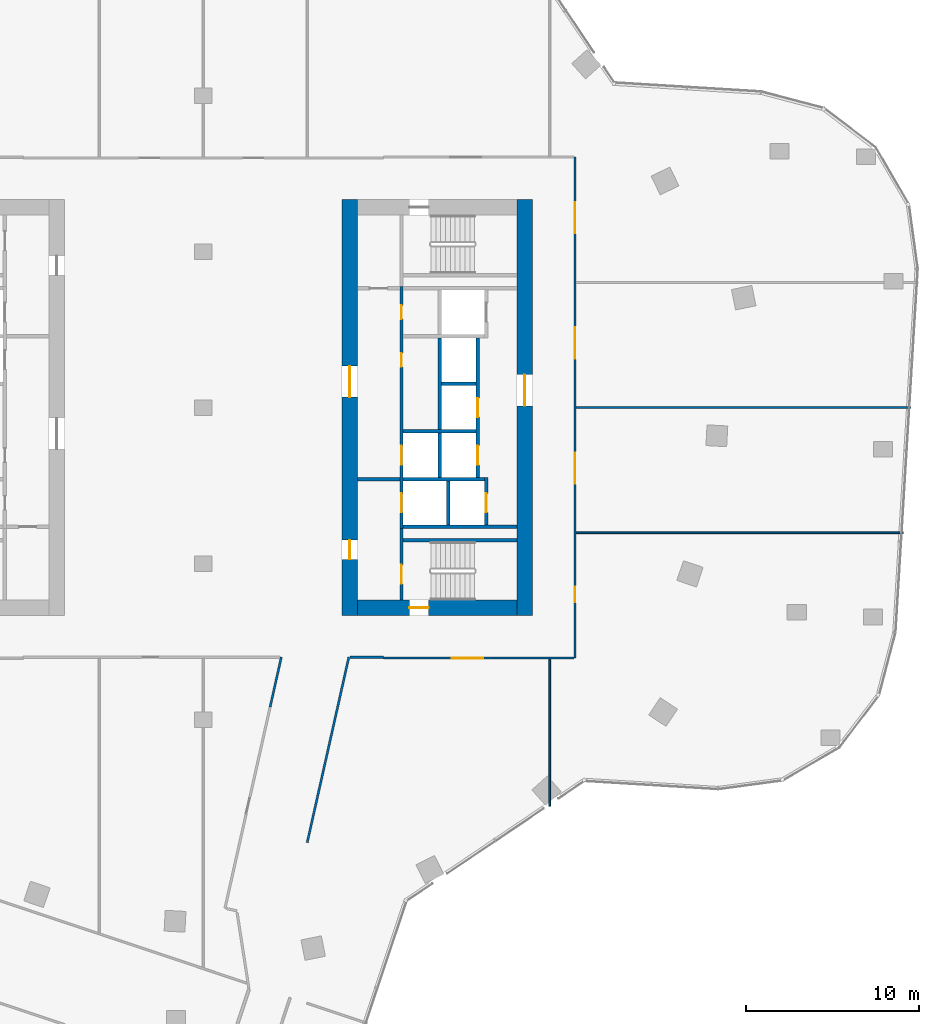
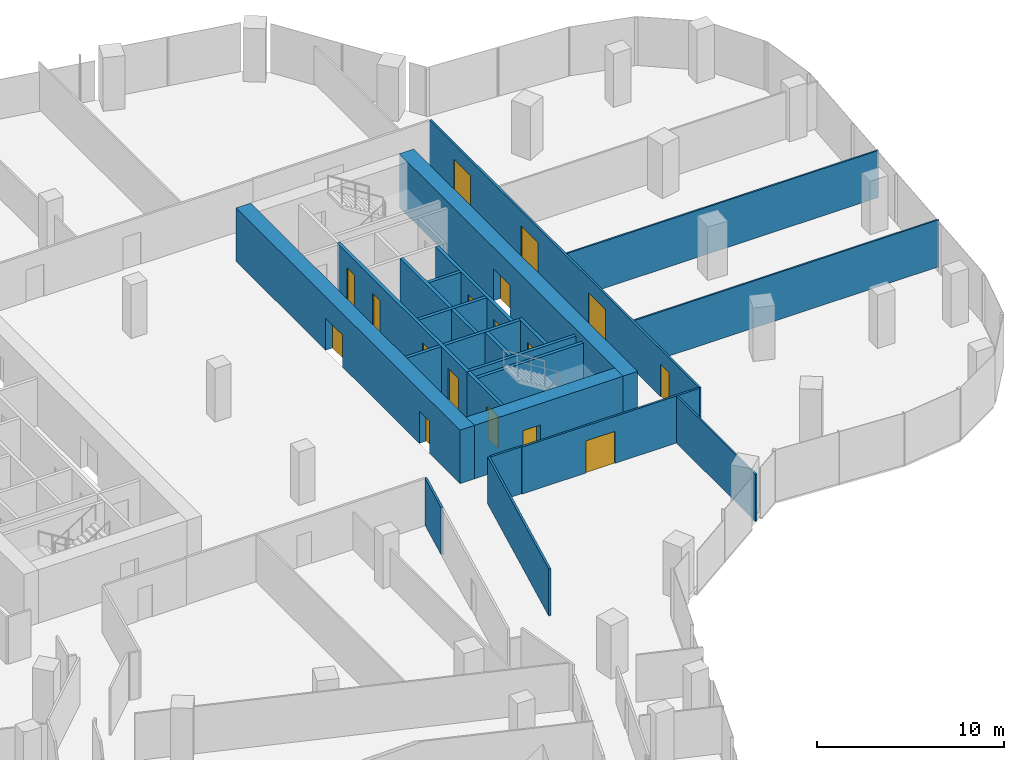
# One storey, part 21 of 25: 24 walls, 17 doors, 17 openings.
"""IFC4 building model written with IfcOpenShell, lengths in metres."""

from ifc_helpers import new_model, si_unit, direction, frame, frame_2d, origin, place, context, subcontext, project, spatial, rectangle, extrude, material, layer, layer_set, type_object, element, fill, save


model = new_model("IFC4")

# Units and contexts
model_context = context("Model", 3, precision=1e-05, world=origin(), true_north=direction((0.0, 1.0)))
body_context = subcontext(model_context, "Body", "Model", "MODEL_VIEW")
ifc_project = project(units=[si_unit("LENGTHUNIT", "METRE"), si_unit("AREAUNIT", "SQUARE_METRE"), si_unit("VOLUMEUNIT", "CUBIC_METRE"), si_unit("PLANEANGLEUNIT", "RADIAN"), si_unit("MASSUNIT", "GRAM", prefix="KILO")], contexts=[model_context])

# Site, building, storey
site_placement = place(None, origin())
site = spatial("IfcSite", under=ifc_project, at=site_placement, CompositionType="ELEMENT")
building_placement = place(site_placement, origin())
building = spatial("IfcBuilding", under=site, at=building_placement, Name="Orlundy Tower", CompositionType="ELEMENT")
storey_placement = place(building_placement, frame((0.0, 0.0, 159.60009765625)))
storey = spatial("IfcBuildingStorey", under=building, at=storey_placement, Name="L41", CompositionType="ELEMENT", Elevation=159.60009765625)

# Wall, opening, door
ifc_material_1 = material(Name="Concrete C70/85", Category="concrete")
ifc_layer_1 = layer(ifc_material_1, 0.89990234375)
ifc_layer_set_1 = layer_set([ifc_layer_1], Name="CORE WALL 900 C70/85")
wall_type_1 = type_object("IfcWallType", Name="CORE WALL 900 C70/85", PredefinedType="SHEAR", material=ifc_layer_set_1)
wall_1_placement = place(storey_placement, frame((8.89990234375, -11.550048828125, 0.0), z_axis=(0.0, 0.0, 1.0), x_axis=(1.0, 0.0, 0.0)))
wall_1 = element("IfcWall", 1, at=wall_1_placement, inside=storey, type_object=wall_type_1, Name="Core wall E-S L41", PredefinedType="SHEAR", context=body_context, shape_type="SweptSolid", body=[
    extrude(rectangle(XDim=9.2001953125, YDim=0.89990234375, at=frame_2d((4.60009765625, 0.0))), origin(), (0.0, 0.0, 1.0), 3.5),
])
opening_1_placement = place(wall_1_placement, frame((3.0, 0.0, 0.0)))
opening_1 = element("IfcOpeningElement", 2, at=opening_1_placement, cuts=wall_1, Name="Opening 32061", PredefinedType="OPENING", context=body_context, shape_type="SweptSolid", body=[
    extrude(rectangle(XDim=1.10009765625, YDim=2.10009765625, at=frame_2d((0.550048828125, 1.050048828125))), frame((0.0, 0.4599609375, 0.0), z_axis=(0.0, -1.0, 0.0), x_axis=(1.0, 0.0, 0.0)), (0.0, 0.0, 1.0), 0.919921875),
])
ifc_material_2 = material(Name="Steel door set", Category="steel")
door_type_1 = type_object("IfcDoorType", Name="Stair Door 1100x2100", OperationType="SINGLE_SWING_LEFT", PredefinedType="DOOR", material=ifc_material_2)
door_1_placement = place(opening_1_placement, origin())
door_1 = element("IfcDoor", 3, at=door_1_placement, inside=storey, type_object=door_type_1, Name="Stair door 32061", OperationType="SINGLE_SWING_LEFT", OverallHeight=2.10009765625, OverallWidth=1.10009765625, PredefinedType="DOOR", context=body_context, shape_type="SweptSolid", body=[
    extrude(rectangle(XDim=1.10009765625, YDim=2.10009765625, at=frame_2d((0.550048828125, 1.050048828125))), frame((0.0, 0.02490234375, 0.0), z_axis=(0.0, -1.0, 0.0), x_axis=(1.0, 0.0, 0.0)), (0.0, 0.0, 1.0), 0.050048828125),
])
fill(opening_1, door_1)

# Wall, openings, doors
wall_2_placement = place(storey_placement, frame((8.449951171875, -12.0, 0.0), z_axis=(0.0, 0.0, 1.0), x_axis=(0.0, 1.0, 0.0)))
wall_2 = element("IfcWall", 4, at=wall_2_placement, inside=storey, type_object=wall_type_1, Name="Core wall E-W L41", PredefinedType="SHEAR", context=body_context, shape_type="SweptSolid", body=[
    extrude(rectangle(XDim=24.0, YDim=0.89990234375, at=frame_2d((12.0, 0.0))), origin(), (0.0, 0.0, 1.0), 3.5),
])
opening_2_placement = place(wall_2_placement, frame((12.60009765625, 0.0, 0.0)))
opening_2 = element("IfcOpeningElement", 5, at=opening_2_placement, cuts=wall_2, Name="Opening 32058", PredefinedType="OPENING", context=body_context, shape_type="SweptSolid", body=[
    extrude(rectangle(XDim=1.800048828125, YDim=2.10009765625, at=frame_2d((0.89990234375, 1.050048828125))), frame((0.0, 0.4599609375, 0.0), z_axis=(0.0, -1.0, 0.0), x_axis=(1.0, 0.0, 0.0)), (0.0, 0.0, 1.0), 0.919921875),
])
opening_3_placement = place(wall_2_placement, frame((3.25, 0.0, 0.0)))
opening_3 = element("IfcOpeningElement", 6, at=opening_3_placement, cuts=wall_2, Name="Opening 32060", PredefinedType="OPENING", context=body_context, shape_type="SweptSolid", body=[
    extrude(rectangle(XDim=1.10009765625, YDim=2.10009765625, at=frame_2d((0.550048828125, 1.050048828125))), frame((0.0, 0.4599609375, 0.0), z_axis=(0.0, -1.0, 0.0), x_axis=(1.0, 0.0, 0.0)), (0.0, 0.0, 1.0), 0.919921875),
])
ifc_material_3 = material(Name="Steel door set", Category="steel")
door_type_2 = type_object("IfcDoorType", Name="Fire-fighting Lobby Door 1100x2100", OperationType="SINGLE_SWING_LEFT", PredefinedType="DOOR", material=ifc_material_3)
door_2_placement = place(opening_3_placement, origin())
door_2 = element("IfcDoor", 7, at=door_2_placement, inside=storey, type_object=door_type_2, Name="Fire-fighting lobby door 32060", OperationType="SINGLE_SWING_LEFT", OverallHeight=2.10009765625, OverallWidth=1.10009765625, PredefinedType="DOOR", context=body_context, shape_type="SweptSolid", body=[
    extrude(rectangle(XDim=1.10009765625, YDim=2.10009765625, at=frame_2d((0.550048828125, 1.050048828125))), frame((0.0, 0.02490234375, 0.0), z_axis=(0.0, -1.0, 0.0), x_axis=(1.0, 0.0, 0.0)), (0.0, 0.0, 1.0), 0.050048828125),
])
fill(opening_3, door_2)
ifc_material_4 = material(Name="Timber door set", Category="wood")
door_type_3 = type_object("IfcDoorType", Name="Lobby Door 1800x2100", OperationType="DOUBLE_DOOR_DOUBLE_SWING", PredefinedType="DOOR", material=ifc_material_4)
door_3_placement = place(opening_2_placement, origin())
door_3 = element("IfcDoor", 8, at=door_3_placement, inside=storey, type_object=door_type_3, Name="Lift lobby door 32058", OperationType="SINGLE_SWING_RIGHT", OverallHeight=2.10009765625, OverallWidth=1.800048828125, PredefinedType="DOOR", context=body_context, shape_type="SweptSolid", body=[
    extrude(rectangle(XDim=1.800048828125, YDim=2.10009765625, at=frame_2d((0.89990234375, 1.050048828125))), frame((0.0, 0.02490234375, 0.0), z_axis=(0.0, -1.0, 0.0), x_axis=(1.0, 0.0, 0.0)), (0.0, 0.0, 1.0), 0.050048828125),
])
fill(opening_2, door_3)

# Wall, opening, door
wall_3_placement = place(storey_placement, frame((18.550048828125, -12.0, 0.0), z_axis=(0.0, 0.0, 1.0), x_axis=(0.0, 1.0, 0.0)))
wall_3 = element("IfcWall", 9, at=wall_3_placement, inside=storey, type_object=wall_type_1, Name="Core wall E-E L41", PredefinedType="SHEAR", context=body_context, shape_type="SweptSolid", body=[
    extrude(rectangle(XDim=24.0, YDim=0.89990234375, at=frame_2d((12.0, 0.0))), origin(), (0.0, 0.0, 1.0), 3.5),
])
opening_4_placement = place(wall_3_placement, frame((12.10009765625, 0.0, 0.0)))
opening_4 = element("IfcOpeningElement", 10, at=opening_4_placement, cuts=wall_3, Name="Opening 32059", PredefinedType="OPENING", context=body_context, shape_type="SweptSolid", body=[
    extrude(rectangle(XDim=1.800048828125, YDim=2.10009765625, at=frame_2d((0.89990234375, 1.050048828125))), frame((0.0, 0.4599609375, 0.0), z_axis=(0.0, -1.0, 0.0), x_axis=(1.0, 0.0, 0.0)), (0.0, 0.0, 1.0), 0.919921875),
])
door_4_placement = place(opening_4_placement, origin())
door_4 = element("IfcDoor", 11, at=door_4_placement, inside=storey, type_object=door_type_3, Name="Lift lobby door 32059", OperationType="SINGLE_SWING_RIGHT", OverallHeight=2.10009765625, OverallWidth=1.800048828125, PredefinedType="DOOR", context=body_context, shape_type="SweptSolid", body=[
    extrude(rectangle(XDim=1.800048828125, YDim=2.10009765625, at=frame_2d((0.89990234375, 1.050048828125))), frame((0.0, 0.02490234375, 0.0), z_axis=(0.0, -1.0, 0.0), x_axis=(1.0, 0.0, 0.0)), (0.0, 0.0, 1.0), 0.050048828125),
])
fill(opening_4, door_4)

# Walls
ifc_material_5 = material(Name="Gypsum board partition")
ifc_layer_2 = layer(ifc_material_5, 0.10009765625)
ifc_layer_set_2 = layer_set([ifc_layer_2], Name="Floor partition 100")
wall_type_2 = type_object("IfcWallType", Name="Floor partition 100", PredefinedType="PARTITIONING", material=ifc_layer_set_2)
wall_4_placement = place(storey_placement, frame((21.511962890625, -7.22412109375, 0.0), z_axis=(0.0, 0.0, 1.0), x_axis=(1.0, 0.0, 0.0)))
element("IfcWall", 12, at=wall_4_placement, inside=storey, type_object=wall_type_2, Name="wall-int-L41-027", PredefinedType="PARTITIONING", context=body_context, shape_type="SweptSolid", body=[
    extrude(rectangle(XDim=18.8720703125, YDim=0.10009765625, at=frame_2d((9.43603515625, 0.0))), origin(), (0.0, 0.0, 1.0), 3.079833984375),
])
wall_5_placement = place(storey_placement, frame((21.511962890625, 0.0, 0.0), z_axis=(0.0, 0.0, 1.0), x_axis=(1.0, 0.0, 0.0)))
element("IfcWall", 13, at=wall_5_placement, inside=storey, type_object=wall_type_2, Name="wall-int-L41-029", PredefinedType="PARTITIONING", context=body_context, shape_type="SweptSolid", body=[
    extrude(rectangle(XDim=19.31396484375, YDim=0.10009765625, at=frame_2d((9.656982421875, 0.0))), origin(), (0.0, 0.0, 1.0), 3.079833984375),
])
wall_6_placement = place(storey_placement, frame((20.0, -22.998046875, 0.0), z_axis=(0.0, 0.0, 1.0), x_axis=(0.0, 1.0, 0.0)))
element("IfcWall", 14, at=wall_6_placement, inside=storey, type_object=wall_type_2, Name="wall-int-L41-056", PredefinedType="PARTITIONING", context=body_context, shape_type="SweptSolid", body=[
    extrude(rectangle(XDim=8.484130859375, YDim=0.10009765625, at=frame_2d((4.2421875, 0.0))), origin(), (0.0, 0.0, 1.0), 3.079833984375),
])

# Wall, opening, door
ifc_material_6 = material(Name="Gypsum board partition, double layer")
ifc_layer_3 = layer(ifc_material_6, 0.125)
ifc_layer_set_3 = layer_set([ifc_layer_3], Name="Floor partition 125")
wall_type_3 = type_object("IfcWallType", Name="Floor partition 125", PredefinedType="PARTITIONING", material=ifc_layer_set_3)
wall_7_placement = place(storey_placement, frame((21.386962890625, -14.450927734375, 0.0), z_axis=(0.0, 0.0, 1.0), x_axis=(-1.0, 0.0, 0.0)))
wall_7 = element("IfcWall", 15, at=wall_7_placement, inside=storey, type_object=wall_type_3, Name="wall-int-L41-024", PredefinedType="PARTITIONING", context=body_context, shape_type="SweptSolid", body=[
    extrude(rectangle(XDim=10.995849609375, YDim=0.125, at=frame_2d((5.498046875, 0.0))), origin(), (0.0, 0.0, 1.0), 3.079833984375),
])
opening_5_placement = place(wall_7_placement, frame((5.237548828125, 0.0, 0.0)))
opening_5 = element("IfcOpeningElement", 16, at=opening_5_placement, cuts=wall_7, Name="Opening 32118", PredefinedType="OPENING", context=body_context, shape_type="SweptSolid", body=[
    extrude(rectangle(XDim=1.800048828125, YDim=2.10009765625, at=frame_2d((0.89990234375, 1.050048828125))), frame((0.0, 0.072509765625, 0.0), z_axis=(0.0, -1.0, 0.0), x_axis=(1.0, 0.0, 0.0)), (0.0, 0.0, 1.0), 0.14501953125),
])
ifc_material_7 = material(Name="Timber door leaf", Category="wood")
door_type_4 = type_object("IfcDoorType", Name="Floor door double 1800 FD30S", OperationType="NOTDEFINED", PredefinedType="DOOR", material=ifc_material_7)
door_5_placement = place(opening_5_placement, origin())
door_5 = element("IfcDoor", 17, at=door_5_placement, inside=storey, type_object=door_type_4, Name="Door 32118", OperationType="DOUBLE_DOOR_SINGLE_SWING", OverallHeight=2.10009765625, OverallWidth=1.800048828125, PredefinedType="DOOR", context=body_context, shape_type="SweptSolid", body=[
    extrude(rectangle(XDim=1.800048828125, YDim=2.10009765625, at=frame_2d((0.89990234375, 1.050048828125))), frame((0.0, 0.02490234375, 0.0), z_axis=(0.0, -1.0, 0.0), x_axis=(1.0, 0.0, 0.0)), (0.0, 0.0, 1.0), 0.050048828125),
])
fill(opening_5, door_5)

# Walls
wall_8_placement = place(storey_placement, frame((8.47900390625, -14.40087890625, 0.0), z_axis=(0.0, 0.0, 1.0), x_axis=(1.0, 0.0, 0.0)))
element("IfcWall", 18, at=wall_8_placement, inside=storey, type_object=wall_type_3, Name="wall-int-L41-026", PredefinedType="PARTITIONING", context=body_context, shape_type="SweptSolid", body=[
    extrude(rectangle(XDim=1.912109375, YDim=0.125, at=frame_2d((0.9560546875, 0.0))), origin(), (0.0, 0.0, 1.0), 3.079833984375),
])
wall_9_placement = place(storey_placement, frame((8.40087890625, -14.40087890625, 0.0), z_axis=(0.0, 0.0, 1.0), x_axis=(-0.218995507843, -0.975725867006, 0.0)))
element("IfcWall", 19, at=wall_9_placement, inside=storey, type_object=wall_type_3, Name="wall-int-L41-050", PredefinedType="PARTITIONING", context=body_context, shape_type="SweptSolid", body=[
    extrude(rectangle(XDim=10.963134765625, YDim=0.125, at=frame_2d((5.4814453125, 0.0))), origin(), (0.0, 0.0, 1.0), 3.079833984375),
])
wall_10_placement = place(storey_placement, frame((3.860107421875, -17.27392578125, 0.0), z_axis=(0.0, 0.0, 1.0), x_axis=(0.218975515368, 0.975730353976, 0.0)))
element("IfcWall", 20, at=wall_10_placement, inside=storey, type_object=wall_type_3, Name="wall-int-L41-051", PredefinedType="PARTITIONING", context=body_context, shape_type="SweptSolid", body=[
    extrude(rectangle(XDim=2.944580078125, YDim=0.125, at=frame_2d((1.47216796875, 0.0))), origin(), (0.0, 0.0, 1.0), 3.079833984375),
])

# Wall, openings, doors
wall_11_placement = place(storey_placement, frame((21.449951171875, 14.450927734375, 0.0), z_axis=(0.0, 0.0, 1.0), x_axis=(0.0, -1.0, 0.0)))
wall_11 = element("IfcWall", 21, at=wall_11_placement, inside=storey, type_object=wall_type_3, Name="wall-int-L41-055", PredefinedType="PARTITIONING", context=body_context, shape_type="SweptSolid", body=[
    extrude(rectangle(XDim=28.90185546875, YDim=0.125, at=frame_2d((14.450927734375, 0.0))), origin(), (0.0, 0.0, 1.0), 3.079833984375),
])
opening_6_placement = place(wall_11_placement, frame((24.77490234375, 0.0, 0.0)))
opening_6 = element("IfcOpeningElement", 22, at=opening_6_placement, cuts=wall_11, Name="Opening 32119", PredefinedType="OPENING", context=body_context, shape_type="SweptSolid", body=[
    extrude(rectangle(XDim=0.89990234375, YDim=2.10009765625, at=frame_2d((0.449951171875, 1.050048828125))), frame((0.0, 0.072509765625, 0.0), z_axis=(0.0, -1.0, 0.0), x_axis=(1.0, 0.0, 0.0)), (0.0, 0.0, 1.0), 0.14501953125),
])
opening_7_placement = place(wall_11_placement, frame((17.051025390625, 0.0, 0.0)))
opening_7 = element("IfcOpeningElement", 23, at=opening_7_placement, cuts=wall_11, Name="Opening 32120", PredefinedType="OPENING", context=body_context, shape_type="SweptSolid", body=[
    extrude(rectangle(XDim=1.800048828125, YDim=2.10009765625, at=frame_2d((0.89990234375, 1.050048828125))), frame((0.0, 0.072509765625, 0.0), z_axis=(0.0, -1.0, 0.0), x_axis=(1.0, 0.0, 0.0)), (0.0, 0.0, 1.0), 0.14501953125),
])
opening_8_placement = place(wall_11_placement, frame((9.826904296875, 0.0, 0.0)))
opening_8 = element("IfcOpeningElement", 24, at=opening_8_placement, cuts=wall_11, Name="Opening 32121", PredefinedType="OPENING", context=body_context, shape_type="SweptSolid", body=[
    extrude(rectangle(XDim=1.800048828125, YDim=2.10009765625, at=frame_2d((0.89990234375, 1.050048828125))), frame((0.0, 0.072509765625, 0.0), z_axis=(0.0, -1.0, 0.0), x_axis=(1.0, 0.0, 0.0)), (0.0, 0.0, 1.0), 0.14501953125),
])
opening_9_placement = place(wall_11_placement, frame((2.60009765625, 0.0, 0.0)))
opening_9 = element("IfcOpeningElement", 25, at=opening_9_placement, cuts=wall_11, Name="Opening 32122", PredefinedType="OPENING", context=body_context, shape_type="SweptSolid", body=[
    extrude(rectangle(XDim=1.800048828125, YDim=2.10009765625, at=frame_2d((0.89990234375, 1.050048828125))), frame((0.0, 0.072509765625, 0.0), z_axis=(0.0, -1.0, 0.0), x_axis=(1.0, 0.0, 0.0)), (0.0, 0.0, 1.0), 0.14501953125),
])
door_6_placement = place(opening_7_placement, origin())
door_6 = element("IfcDoor", 26, at=door_6_placement, inside=storey, type_object=door_type_4, Name="Door 32120", OperationType="DOUBLE_DOOR_SINGLE_SWING", OverallHeight=2.10009765625, OverallWidth=1.800048828125, PredefinedType="DOOR", context=body_context, shape_type="SweptSolid", body=[
    extrude(rectangle(XDim=1.800048828125, YDim=2.10009765625, at=frame_2d((0.89990234375, 1.050048828125))), frame((0.0, 0.02490234375, 0.0), z_axis=(0.0, -1.0, 0.0), x_axis=(1.0, 0.0, 0.0)), (0.0, 0.0, 1.0), 0.050048828125),
])
fill(opening_7, door_6)
door_7_placement = place(opening_8_placement, origin())
door_7 = element("IfcDoor", 27, at=door_7_placement, inside=storey, type_object=door_type_4, Name="Door 32121", OperationType="DOUBLE_DOOR_SINGLE_SWING", OverallHeight=2.10009765625, OverallWidth=1.800048828125, PredefinedType="DOOR", context=body_context, shape_type="SweptSolid", body=[
    extrude(rectangle(XDim=1.800048828125, YDim=2.10009765625, at=frame_2d((0.89990234375, 1.050048828125))), frame((0.0, 0.02490234375, 0.0), z_axis=(0.0, -1.0, 0.0), x_axis=(1.0, 0.0, 0.0)), (0.0, 0.0, 1.0), 0.050048828125),
])
fill(opening_8, door_7)
door_8_placement = place(opening_9_placement, origin())
door_8 = element("IfcDoor", 28, at=door_8_placement, inside=storey, type_object=door_type_4, Name="Door 32122", OperationType="DOUBLE_DOOR_SINGLE_SWING", OverallHeight=2.10009765625, OverallWidth=1.800048828125, PredefinedType="DOOR", context=body_context, shape_type="SweptSolid", body=[
    extrude(rectangle(XDim=1.800048828125, YDim=2.10009765625, at=frame_2d((0.89990234375, 1.050048828125))), frame((0.0, 0.02490234375, 0.0), z_axis=(0.0, -1.0, 0.0), x_axis=(1.0, 0.0, 0.0)), (0.0, 0.0, 1.0), 0.050048828125),
])
fill(opening_9, door_8)
ifc_material_8 = material(Name="Timber door leaf", Category="wood")
door_type_5 = type_object("IfcDoorType", Name="Floor door single 900 FD30S", OperationType="NOTDEFINED", PredefinedType="DOOR", material=ifc_material_8)
door_9_placement = place(opening_6_placement, origin())
door_9 = element("IfcDoor", 29, at=door_9_placement, inside=storey, type_object=door_type_5, Name="Door 32119", OperationType="SINGLE_SWING_RIGHT", OverallHeight=2.10009765625, OverallWidth=0.89990234375, PredefinedType="DOOR", context=body_context, shape_type="SweptSolid", body=[
    extrude(rectangle(XDim=0.89990234375, YDim=2.10009765625, at=frame_2d((0.449951171875, 1.050048828125))), frame((0.0, 0.02490234375, 0.0), z_axis=(0.0, -1.0, 0.0), x_axis=(1.0, 0.0, 0.0)), (0.0, 0.0, 1.0), 0.050048828125),
])
fill(opening_6, door_9)

# Wall, opening, door
ifc_material_9 = material(Name="Concrete C40/50", Category="concrete")
ifc_layer_4 = layer(ifc_material_9, 0.199951171875)
ifc_layer_set_4 = layer_set([ifc_layer_4], Name="Load-bearing Shaft Wall 200")
wall_type_4 = type_object("IfcWallType", Name="Load-bearing Shaft Wall 200", PredefinedType="SOLIDWALL", material=ifc_layer_set_4)
wall_12_placement = place(storey_placement, frame((11.43994140625, -6.97509765625, 0.0), z_axis=(0.0, 0.0, 1.0), x_axis=(0.0, -1.0, 0.0)))
wall_12 = element("IfcWall", 30, at=wall_12_placement, inside=storey, type_object=wall_type_4, Name="Shaft wall E32-stair-end-n", PredefinedType="SOLIDWALL", context=body_context, shape_type="SweptSolid", body=[
    extrude(rectangle(XDim=4.125, YDim=0.199951171875, at=frame_2d((2.0625, 0.0))), origin(), (0.0, 0.0, 1.0), 3.08984375),
])
opening_10_placement = place(wall_12_placement, frame((2.10009765625, 0.0, 0.0)))
opening_10 = element("IfcOpeningElement", 31, at=opening_10_placement, cuts=wall_12, Name="Opening 32063", PredefinedType="OPENING", context=body_context, shape_type="SweptSolid", body=[
    extrude(rectangle(XDim=1.10009765625, YDim=2.10009765625, at=frame_2d((0.550048828125, 1.050048828125))), frame((0.0, 0.110107421875, 0.0), z_axis=(0.0, -1.0, 0.0), x_axis=(1.0, 0.0, 0.0)), (0.0, 0.0, 1.0), 0.22021484375),
])
door_10_placement = place(opening_10_placement, origin())
door_10 = element("IfcDoor", 32, at=door_10_placement, inside=storey, type_object=door_type_2, Name="Fire-fighting lobby to stair door 32063", OperationType="SINGLE_SWING_RIGHT", OverallHeight=2.10009765625, OverallWidth=1.10009765625, PredefinedType="DOOR", context=body_context, shape_type="SweptSolid", body=[
    extrude(rectangle(XDim=1.10009765625, YDim=2.10009765625, at=frame_2d((0.550048828125, 1.050048828125))), frame((0.0, 0.02490234375, 0.0), z_axis=(0.0, -1.0, 0.0), x_axis=(1.0, 0.0, 0.0)), (0.0, 0.0, 1.0), 0.050048828125),
])
fill(opening_10, door_10)

# Walls
wall_13_placement = place(storey_placement, frame((11.5400390625, -7.64990234375, 0.0), z_axis=(0.0, 0.0, 1.0), x_axis=(1.0, 0.0, 0.0)))
element("IfcWall", 33, at=wall_13_placement, inside=storey, type_object=wall_type_4, Name="Shaft wall E32-stair-side-n", PredefinedType="SOLIDWALL", context=body_context, shape_type="SweptSolid", body=[
    extrude(rectangle(XDim=6.56005859375, YDim=0.199951171875, at=frame_2d((3.280029296875, 0.0))), origin(), (0.0, 0.0, 1.0), 3.08984375),
])
ifc_material_10 = material(Name="Gypsum board partition on steel studs", Category="steel")
ifc_layer_5 = layer(ifc_material_10, 0.199951171875)
ifc_layer_set_5 = layer_set([ifc_layer_5], Name="Partition 200")
wall_type_5 = type_object("IfcWallType", Name="Partition 200", PredefinedType="PARTITIONING", material=ifc_layer_set_5)
wall_14_placement = place(storey_placement, frame((8.89990234375, -4.125, 0.0), z_axis=(0.0, 0.0, 1.0), x_axis=(1.0, 0.0, 0.0)))
element("IfcWall", 34, at=wall_14_placement, inside=storey, type_object=wall_type_5, Name="Partition wall E32-lobby-n", PredefinedType="PARTITIONING", context=body_context, shape_type="SweptSolid", body=[
    extrude(rectangle(XDim=2.440185546875, YDim=0.199951171875, at=frame_2d((1.22021484375, 0.0))), origin(), (0.0, 0.0, 1.0), 3.08984375),
])
ifc_material_11 = material(Name="Fire-rated blockwork shaft wall", Category="masonry")
ifc_layer_6 = layer(ifc_material_11, 0.199951171875)
ifc_layer_set_6 = layer_set([ifc_layer_6], Name="Shaft Wall 200")
wall_type_6 = type_object("IfcWallType", Name="Shaft Wall 200", PredefinedType="SOLIDWALL", material=ifc_layer_set_6)
wall_15_placement = place(storey_placement, frame((11.5400390625, -6.875, 0.0), z_axis=(0.0, 0.0, 1.0), x_axis=(1.0, 0.0, 0.0)))
element("IfcWall", 35, at=wall_15_placement, inside=storey, type_object=wall_type_6, Name="Shaft wall E32-zone-n", PredefinedType="SOLIDWALL", context=body_context, shape_type="SweptSolid", body=[
    extrude(rectangle(XDim=6.56005859375, YDim=0.199951171875, at=frame_2d((3.280029296875, 0.0))), origin(), (0.0, 0.0, 1.0), 3.08984375),
])
wall_16_placement = place(storey_placement, frame((13.739990234375, 1.375, 0.0), z_axis=(0.0, 0.0, 1.0), x_axis=(1.0, 0.0, 0.0)))
element("IfcWall", 36, at=wall_16_placement, inside=storey, type_object=wall_type_6, Name="Shaft wall E32-cross-1.375", PredefinedType="SOLIDWALL", context=body_context, shape_type="SweptSolid", body=[
    extrude(rectangle(XDim=2.0, YDim=0.199951171875, at=frame_2d((1.0, 0.0))), origin(), (0.0, 0.0, 1.0), 3.08984375),
])
wall_17_placement = place(storey_placement, frame((11.5400390625, -1.375, 0.0), z_axis=(0.0, 0.0, 1.0), x_axis=(1.0, 0.0, 0.0)))
element("IfcWall", 37, at=wall_17_placement, inside=storey, type_object=wall_type_6, Name="Shaft wall E32-cross+1.375", PredefinedType="SOLIDWALL", context=body_context, shape_type="SweptSolid", body=[
    extrude(rectangle(XDim=4.199951171875, YDim=0.199951171875, at=frame_2d((2.10009765625, 0.0))), origin(), (0.0, 0.0, 1.0), 3.08984375),
])
wall_18_placement = place(storey_placement, frame((11.5400390625, -4.125, 0.0), z_axis=(0.0, 0.0, 1.0), x_axis=(1.0, 0.0, 0.0)))
element("IfcWall", 38, at=wall_18_placement, inside=storey, type_object=wall_type_6, Name="Shaft wall E32-cross+4.125", PredefinedType="SOLIDWALL", context=body_context, shape_type="SweptSolid", body=[
    extrude(rectangle(XDim=4.699951171875, YDim=0.199951171875, at=frame_2d((2.35009765625, 0.0))), origin(), (0.0, 0.0, 1.0), 3.08984375),
])

# Wall, openings, doors
wall_19_placement = place(storey_placement, frame((11.43994140625, 6.97509765625, 0.0), z_axis=(0.0, 0.0, 1.0), x_axis=(0.0, -1.0, 0.0)))
wall_19 = element("IfcWall", 39, at=wall_19_placement, inside=storey, type_object=wall_type_6, Name="Shaft wall E32-front-h", PredefinedType="SOLIDWALL", context=body_context, shape_type="SweptSolid", body=[
    extrude(rectangle(XDim=13.9501953125, YDim=0.199951171875, at=frame_2d((6.97509765625, 0.0))), origin(), (0.0, 0.0, 1.0), 3.08984375),
])
opening_11_placement = place(wall_19_placement, frame((9.175048828125, 0.0, 0.0)))
opening_11 = element("IfcOpeningElement", 40, at=opening_11_placement, cuts=wall_19, Name="Opening 32052", PredefinedType="OPENING", context=body_context, shape_type="SweptSolid", body=[
    extrude(rectangle(XDim=1.10009765625, YDim=2.10009765625, at=frame_2d((0.550048828125, 1.050048828125))), frame((0.0, 0.110107421875, 0.0), z_axis=(0.0, -1.0, 0.0), x_axis=(1.0, 0.0, 0.0)), (0.0, 0.0, 1.0), 0.22021484375),
])
opening_12_placement = place(wall_19_placement, frame((11.925048828125, 0.0, 0.0)))
opening_12 = element("IfcOpeningElement", 41, at=opening_12_placement, cuts=wall_19, Name="Opening 32054", PredefinedType="OPENING", context=body_context, shape_type="SweptSolid", body=[
    extrude(rectangle(XDim=1.10009765625, YDim=2.10009765625, at=frame_2d((0.550048828125, 1.050048828125))), frame((0.0, 0.110107421875, 0.0), z_axis=(0.0, -1.0, 0.0), x_axis=(1.0, 0.0, 0.0)), (0.0, 0.0, 1.0), 0.22021484375),
])
opening_13_placement = place(wall_19_placement, frame((1.074951171875, 0.0, 0.0)))
opening_13 = element("IfcOpeningElement", 42, at=opening_13_placement, cuts=wall_19, Name="Opening 32056", PredefinedType="OPENING", context=body_context, shape_type="SweptSolid", body=[
    extrude(rectangle(XDim=0.800048828125, YDim=2.10009765625, at=frame_2d((0.39990234375, 1.050048828125))), frame((0.0, 0.110107421875, 0.0), z_axis=(0.0, -1.0, 0.0), x_axis=(1.0, 0.0, 0.0)), (0.0, 0.0, 1.0), 0.22021484375),
])
opening_14_placement = place(wall_19_placement, frame((3.824951171875, 0.0, 0.0)))
opening_14 = element("IfcOpeningElement", 43, at=opening_14_placement, cuts=wall_19, Name="Opening 32057", PredefinedType="OPENING", context=body_context, shape_type="SweptSolid", body=[
    extrude(rectangle(XDim=0.800048828125, YDim=2.10009765625, at=frame_2d((0.39990234375, 1.050048828125))), frame((0.0, 0.110107421875, 0.0), z_axis=(0.0, -1.0, 0.0), x_axis=(1.0, 0.0, 0.0)), (0.0, 0.0, 1.0), 0.22021484375),
])
ifc_material_12 = material(Name="Steel door set", Category="steel")
door_type_6 = type_object("IfcDoorType", Name="Landing Door 1100x2100", OperationType="DOUBLE_DOOR_SLIDING", PredefinedType="DOOR", material=ifc_material_12)
door_11_placement = place(opening_11_placement, origin())
door_11 = element("IfcDoor", 44, at=door_11_placement, inside=storey, type_object=door_type_6, Name="Lift landing door LP-16 32052", OperationType="DOUBLE_DOOR_SLIDING", OverallHeight=2.10009765625, OverallWidth=1.10009765625, PredefinedType="DOOR", context=body_context, shape_type="SweptSolid", body=[
    extrude(rectangle(XDim=1.10009765625, YDim=2.10009765625, at=frame_2d((0.550048828125, 1.050048828125))), frame((0.0, 0.02490234375, 0.0), z_axis=(0.0, -1.0, 0.0), x_axis=(1.0, 0.0, 0.0)), (0.0, 0.0, 1.0), 0.050048828125),
])
fill(opening_11, door_11)
door_12_placement = place(opening_12_placement, origin())
door_12 = element("IfcDoor", 45, at=door_12_placement, inside=storey, type_object=door_type_6, Name="Lift landing door FL2 32054", OperationType="DOUBLE_DOOR_SLIDING", OverallHeight=2.10009765625, OverallWidth=1.10009765625, PredefinedType="DOOR", context=body_context, shape_type="SweptSolid", body=[
    extrude(rectangle(XDim=1.10009765625, YDim=2.10009765625, at=frame_2d((0.550048828125, 1.050048828125))), frame((0.0, 0.02490234375, 0.0), z_axis=(0.0, -1.0, 0.0), x_axis=(1.0, 0.0, 0.0)), (0.0, 0.0, 1.0), 0.050048828125),
])
fill(opening_12, door_12)
ifc_material_13 = material(Name="Timber door set", Category="wood")
door_type_7 = type_object("IfcDoorType", Name="Riser Door 800x2100", OperationType="SINGLE_SWING_LEFT", PredefinedType="DOOR", material=ifc_material_13)
door_13_placement = place(opening_13_placement, origin())
door_13 = element("IfcDoor", 46, at=door_13_placement, inside=storey, type_object=door_type_7, Name="Telecom Room door 32056", OperationType="SINGLE_SWING_LEFT", OverallHeight=2.10009765625, OverallWidth=0.800048828125, PredefinedType="DOOR", context=body_context, shape_type="SweptSolid", body=[
    extrude(rectangle(XDim=0.800048828125, YDim=2.10009765625, at=frame_2d((0.39990234375, 1.050048828125))), frame((0.0, 0.02490234375, 0.0), z_axis=(0.0, -1.0, 0.0), x_axis=(1.0, 0.0, 0.0)), (0.0, 0.0, 1.0), 0.050048828125),
])
fill(opening_13, door_13)
door_14_placement = place(opening_14_placement, origin())
door_14 = element("IfcDoor", 47, at=door_14_placement, inside=storey, type_object=door_type_7, Name="Linen Store door 32057", OperationType="SINGLE_SWING_LEFT", OverallHeight=2.10009765625, OverallWidth=0.800048828125, PredefinedType="DOOR", context=body_context, shape_type="SweptSolid", body=[
    extrude(rectangle(XDim=0.800048828125, YDim=2.10009765625, at=frame_2d((0.39990234375, 1.050048828125))), frame((0.0, 0.02490234375, 0.0), z_axis=(0.0, -1.0, 0.0), x_axis=(1.0, 0.0, 0.0)), (0.0, 0.0, 1.0), 0.050048828125),
])
fill(opening_14, door_14)

# Walls
wall_20_placement = place(storey_placement, frame((13.639892578125, 4.02490234375, 0.0), z_axis=(0.0, 0.0, 1.0), x_axis=(0.0, -1.0, 0.0)))
element("IfcWall", 48, at=wall_20_placement, inside=storey, type_object=wall_type_6, Name="Shaft wall E32-mid-a.1", PredefinedType="SOLIDWALL", context=body_context, shape_type="SweptSolid", body=[
    extrude(rectangle(XDim=5.2998046875, YDim=0.199951171875, at=frame_2d((2.64990234375, 0.0))), origin(), (0.0, 0.0, 1.0), 3.08984375),
])
for number, where, z_axis, x_axis, name in (
    (49, (13.639892578125, -1.47509765625, 0.0), (0.0, 0.0, 1.0), (0.0, -1.0, 0.0), "Shaft wall E32-mid-a.2"),
    (50, (14.139892578125, -4.22509765625, 0.0), (0.0, 0.0, 1.0), (0.0, -1.0, 0.0), "Shaft wall E32-mid-b"),
):
    element("IfcWall", number, at=place(storey_placement, frame(where, z_axis=z_axis, x_axis=x_axis)), inside=storey, type_object=wall_type_6, Name=name, PredefinedType="SOLIDWALL", context=body_context, shape_type="SweptSolid", body=[
        extrude(rectangle(XDim=2.5498046875, YDim=0.199951171875, at=frame_2d((1.27490234375, 0.0))), origin(), (0.0, 0.0, 1.0), 3.08984375),
    ])

# Wall, openings, doors
wall_21_placement = place(storey_placement, frame((15.840087890625, 4.02490234375, 0.0), z_axis=(0.0, 0.0, 1.0), x_axis=(0.0, -1.0, 0.0)))
wall_21 = element("IfcWall", 51, at=wall_21_placement, inside=storey, type_object=wall_type_6, Name="Shaft wall E32-front-o-b", PredefinedType="SOLIDWALL", context=body_context, shape_type="SweptSolid", body=[
    extrude(rectangle(XDim=8.0498046875, YDim=0.199951171875, at=frame_2d((4.02490234375, 0.0))), origin(), (0.0, 0.0, 1.0), 3.08984375),
])
opening_15_placement = place(wall_21_placement, frame((3.47509765625, 0.0, 0.0)))
opening_15 = element("IfcOpeningElement", 52, at=opening_15_placement, cuts=wall_21, Name="Opening 32051", PredefinedType="OPENING", context=body_context, shape_type="SweptSolid", body=[
    extrude(rectangle(XDim=1.10009765625, YDim=2.10009765625, at=frame_2d((0.550048828125, 1.050048828125))), frame((0.0, 0.110107421875, 0.0), z_axis=(0.0, -1.0, 0.0), x_axis=(1.0, 0.0, 0.0)), (0.0, 0.0, 1.0), 0.22021484375),
])
opening_16_placement = place(wall_21_placement, frame((6.22509765625, 0.0, 0.0)))
opening_16 = element("IfcOpeningElement", 53, at=opening_16_placement, cuts=wall_21, Name="Opening 32053", PredefinedType="OPENING", context=body_context, shape_type="SweptSolid", body=[
    extrude(rectangle(XDim=1.10009765625, YDim=2.10009765625, at=frame_2d((0.550048828125, 1.050048828125))), frame((0.0, 0.110107421875, 0.0), z_axis=(0.0, -1.0, 0.0), x_axis=(1.0, 0.0, 0.0)), (0.0, 0.0, 1.0), 0.22021484375),
])
door_15_placement = place(opening_15_placement, origin())
door_15 = element("IfcDoor", 54, at=door_15_placement, inside=storey, type_object=door_type_6, Name="Lift landing door LP-15 32051", OperationType="DOUBLE_DOOR_SLIDING", OverallHeight=2.10009765625, OverallWidth=1.10009765625, PredefinedType="DOOR", context=body_context, shape_type="SweptSolid", body=[
    extrude(rectangle(XDim=1.10009765625, YDim=2.10009765625, at=frame_2d((0.550048828125, 1.050048828125))), frame((0.0, 0.02490234375, 0.0), z_axis=(0.0, -1.0, 0.0), x_axis=(1.0, 0.0, 0.0)), (0.0, 0.0, 1.0), 0.050048828125),
])
fill(opening_15, door_15)
door_16_placement = place(opening_16_placement, origin())
door_16 = element("IfcDoor", 55, at=door_16_placement, inside=storey, type_object=door_type_6, Name="Lift landing door LP-17 32053", OperationType="DOUBLE_DOOR_SLIDING", OverallHeight=2.10009765625, OverallWidth=1.10009765625, PredefinedType="DOOR", context=body_context, shape_type="SweptSolid", body=[
    extrude(rectangle(XDim=1.10009765625, YDim=2.10009765625, at=frame_2d((0.550048828125, 1.050048828125))), frame((0.0, 0.02490234375, 0.0), z_axis=(0.0, -1.0, 0.0), x_axis=(1.0, 0.0, 0.0)), (0.0, 0.0, 1.0), 0.050048828125),
])
fill(opening_16, door_16)

# Wall, opening, door
wall_22_placement = place(storey_placement, frame((16.340087890625, -4.02490234375, 0.0), z_axis=(0.0, 0.0, 1.0), x_axis=(0.0, -1.0, 0.0)))
wall_22 = element("IfcWall", 56, at=wall_22_placement, inside=storey, type_object=wall_type_6, Name="Shaft wall E32-front-o-c", PredefinedType="SOLIDWALL", context=body_context, shape_type="SweptSolid", body=[
    extrude(rectangle(XDim=2.75, YDim=0.199951171875, at=frame_2d((1.375, 0.0))), origin(), (0.0, 0.0, 1.0), 3.08984375),
])
opening_17_placement = place(wall_22_placement, frame((0.925048828125, 0.0, 0.0)))
opening_17 = element("IfcOpeningElement", 57, at=opening_17_placement, cuts=wall_22, Name="Opening 32055", PredefinedType="OPENING", context=body_context, shape_type="SweptSolid", body=[
    extrude(rectangle(XDim=1.10009765625, YDim=2.10009765625, at=frame_2d((0.550048828125, 1.050048828125))), frame((0.0, 0.110107421875, 0.0), z_axis=(0.0, -1.0, 0.0), x_axis=(1.0, 0.0, 0.0)), (0.0, 0.0, 1.0), 0.22021484375),
])
door_17_placement = place(opening_17_placement, origin())
door_17 = element("IfcDoor", 58, at=door_17_placement, inside=storey, type_object=door_type_6, Name="Lift landing door LP-18 32055", OperationType="DOUBLE_DOOR_SLIDING", OverallHeight=2.10009765625, OverallWidth=1.10009765625, PredefinedType="DOOR", context=body_context, shape_type="SweptSolid", body=[
    extrude(rectangle(XDim=1.10009765625, YDim=2.10009765625, at=frame_2d((0.550048828125, 1.050048828125))), frame((0.0, 0.02490234375, 0.0), z_axis=(0.0, -1.0, 0.0), x_axis=(1.0, 0.0, 0.0)), (0.0, 0.0, 1.0), 0.050048828125),
])
fill(opening_17, door_17)

save(model, "model.ifc")
